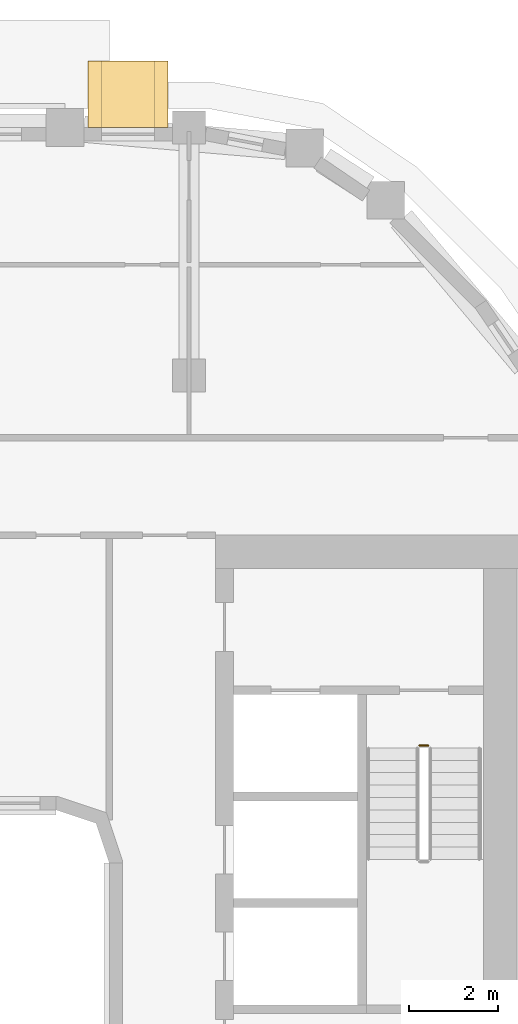
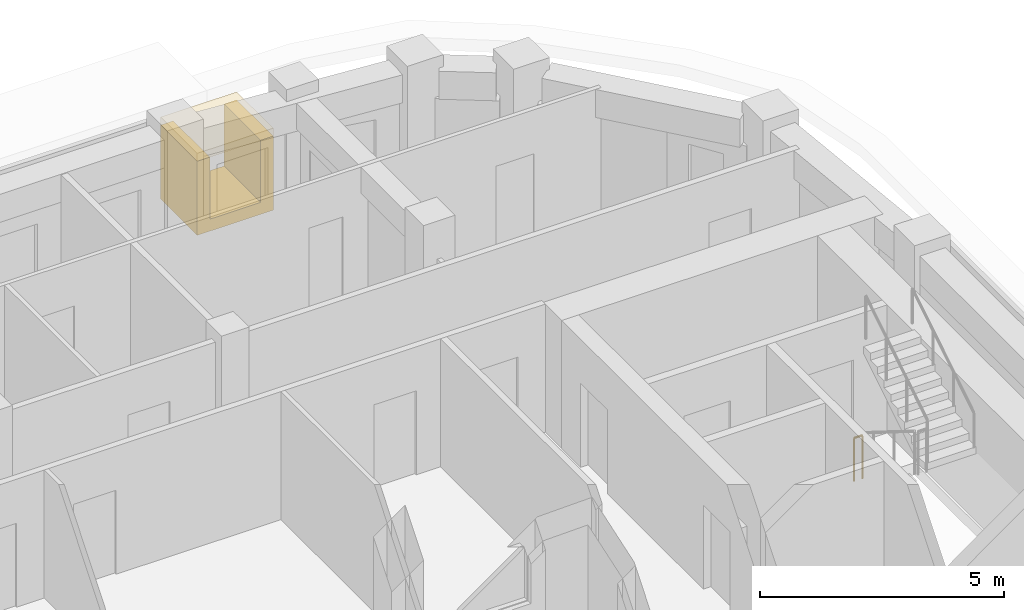
# One storey, part 21 of 21: 2 coverings, 1 railing.
"""IFC4 building model written with IfcOpenShell, lengths in metres."""

import ifcopenshell
import ifcopenshell.guid

model = None  # the IFC model being written
_history = None  # IfcOwnerHistory: only IFC2X3 demands one
_inside = {}  # id of a spatial element -> (the spatial element, [elements in it])
_under = {}  # id of a project, library or spatial element -> (it, [spatial elements below it])
_declared = {}  # id of a project -> (the project, [libraries it declares])
_typed = {}  # id of a type object -> (the type object, [elements of that type])
_made_of = {}  # id of a material, layer set ... -> (it, [elements and type objects made of it])


def new_model(schema):
    """Start an empty IFC model of exactly this schema.

    Asked for "IFC4X3", IfcOpenShell would pick the latest addendum, in which some entities
    have other attributes; the version numbers below select the first issue.
    IFC2X3 requires an IfcOwnerHistory on every rooted entity: one is made here for all.
    """
    global model, _history
    if schema == "IFC4X3":
        model = ifcopenshell.file(schema_version=(4, 3, 0, 0))
    else:
        model = ifcopenshell.file(schema=schema)
    _inside.clear()
    _under.clear()
    _declared.clear()
    _typed.clear()
    _made_of.clear()
    _history = None
    if model.schema == "IFC2X3":
        org = make("IfcOrganization", Name="unknown")
        user = make(
            "IfcPersonAndOrganization",
            ThePerson=make("IfcPerson", FamilyName="unknown"),
            TheOrganization=org,
        )
        app = make(
            "IfcApplication",
            ApplicationDeveloper=org,
            Version="unknown",
            ApplicationFullName="unknown",
            ApplicationIdentifier="unknown",
        )
        _history = make(
            "IfcOwnerHistory",
            OwningUser=user,
            OwningApplication=app,
            ChangeAction="ADDED",
            CreationDate=0,
        )
    return model


def make(cls, **values):
    """One entity of the class cls with the attributes given. An attribute that is None is left unset."""
    return model.create_entity(
        cls, **{name: value for name, value in values.items() if value is not None}
    )


def rooted(cls, **values):
    """An entity with a GlobalId (a new one), such as an element, a storey or a relation."""
    return make(cls, GlobalId=ifcopenshell.guid.new(), OwnerHistory=_history, **values)


def si_unit(unit_type, name, prefix=None):
    """IfcSIUnit, for example si_unit("LENGTHUNIT", "METRE", prefix="MILLI")."""
    return make("IfcSIUnit", UnitType=unit_type, Prefix=prefix, Name=name)


def assignment(units):
    """IfcUnitAssignment: the units of a project."""
    return None if units is None else make("IfcUnitAssignment", Units=units)


def point(xyz):
    """IfcCartesianPoint."""
    return None if xyz is None else make("IfcCartesianPoint", Coordinates=xyz)


def direction(xyz):
    """IfcDirection."""
    return None if xyz is None else make("IfcDirection", DirectionRatios=xyz)


def frame(location, z_axis=None, x_axis=None):
    """IfcAxis2Placement3D, a coordinate frame: its origin and axes. An axis left out is left unset."""
    return make(
        "IfcAxis2Placement3D",
        Location=point(location),
        Axis=direction(z_axis),
        RefDirection=direction(x_axis),
    )


def frame_2d(location, x_axis=None):
    """IfcAxis2Placement2D, a coordinate frame in the plane: its origin and x axis."""
    return make(
        "IfcAxis2Placement2D", Location=point(location), RefDirection=direction(x_axis)
    )


def origin():
    """The frame at (0, 0, 0) with its axes left unset."""
    return frame((0.0, 0.0, 0.0))


def origin_2d():
    """The frame at (0, 0) in the plane with its x axis left unset."""
    return frame_2d((0.0, 0.0))


def place(relative_to, where):
    """IfcLocalPlacement: puts the frame where relative to a parent placement (None: the world)."""
    return make(
        "IfcLocalPlacement", PlacementRelTo=relative_to, RelativePlacement=where
    )


def context(
    kind, dimensions, precision=None, world=None, true_north=None, identifier=None
):
    """IfcGeometricRepresentationContext, for example the 3D "Model" context."""
    return make(
        "IfcGeometricRepresentationContext",
        ContextIdentifier=identifier,
        ContextType=kind,
        CoordinateSpaceDimension=dimensions,
        Precision=precision,
        WorldCoordinateSystem=world,
        TrueNorth=true_north,
    )


def subcontext(parent, identifier, kind, view, scale=None):
    """IfcGeometricRepresentationSubContext, for example "Body" below "Model"."""
    return make(
        "IfcGeometricRepresentationSubContext",
        ContextIdentifier=identifier,
        ContextType=kind,
        ParentContext=parent,
        TargetScale=scale,
        TargetView=view,
    )


def project(units=None, contexts=None):
    """IfcProject with its units and contexts."""
    return rooted(
        "IfcProject",
        Name="project",
        RepresentationContexts=contexts,
        UnitsInContext=assignment(units),
    )


def spatial(cls, under=None, at=None, **own):
    """A site, building, storey or space (cls), placed at a placement, below another one or the project."""
    s = rooted(cls, ObjectPlacement=at, **own)
    if under is not None:
        _under.setdefault(under.id(), (under, []))[1].append(s)
    return s


def polyline(points):
    """IfcPolyline through the points."""
    return make("IfcPolyline", Points=[point(p) for p in points])


def profile(cls, at=None, kind="AREA", **sizes):
    """A parametric profile (cls). Its sizes go by their IFC names, for example OverallWidth=200.0."""
    return make(cls, ProfileType=kind, Position=at, **sizes)


def rectangle(**sizes):
    """IfcRectangleProfileDef."""
    return profile("IfcRectangleProfileDef", **sizes)


def circle(**sizes):
    """IfcCircleProfileDef."""
    return profile("IfcCircleProfileDef", **sizes)


def outline(outer, holes=None, kind="AREA"):
    """IfcArbitraryClosedProfileDef: a profile drawn as a closed curve; with holes, ...WithVoids."""
    if holes is None:
        return make("IfcArbitraryClosedProfileDef", ProfileType=kind, OuterCurve=outer)
    return make(
        "IfcArbitraryProfileDefWithVoids",
        ProfileType=kind,
        OuterCurve=outer,
        InnerCurves=holes,
    )


def extrude(swept, where, along, depth):
    """IfcExtrudedAreaSolid: the profile swept, set in the frame where, extruded along a direction by depth."""
    return make(
        "IfcExtrudedAreaSolid",
        SweptArea=swept,
        Position=where,
        ExtrudedDirection=direction(along),
        Depth=depth,
    )


def shape(context_of_items, identifier, shape_type, items):
    """IfcShapeRepresentation: the items that make up one representation, for example the "Body"."""
    return make(
        "IfcShapeRepresentation",
        ContextOfItems=context_of_items,
        RepresentationIdentifier=identifier,
        RepresentationType=shape_type,
        Items=items,
    )


def material(Name=None, Category=None):
    """IfcMaterial."""
    return make("IfcMaterial", Name=Name, Category=Category)


def layer(
    of_material, thickness, ventilated=None, Name=None, Category=None, Priority=None
):
    """IfcMaterialLayer: one layer of a wall or slab, of a material (None: an air gap)."""
    return make(
        "IfcMaterialLayer",
        Material=of_material,
        LayerThickness=thickness,
        IsVentilated=ventilated,
        Name=Name,
        Category=Category,
        Priority=Priority,
    )


def layer_set(layers, Name=None):
    """IfcMaterialLayerSet."""
    return make("IfcMaterialLayerSet", MaterialLayers=layers, LayerSetName=Name)


def made_of(thing, what):
    """Note that an element or type object is made of a material, layer set ...; save() writes the relation."""
    if what is not None:
        _made_of.setdefault(what.id(), (what, []))[1].append(thing)
    return thing


def type_object(cls, material=None, **own):
    """A type object (cls), such as IfcWallType, which elements share."""
    return made_of(rooted(cls, **own), material)


def element(
    cls,
    number,
    at=None,
    inside=None,
    cuts=None,
    type_object=None,
    material=None,
    context=None,
    identifier="Body",
    shape_type=None,
    held_by="IfcProductDefinitionShape",
    body=None,
    shapes=None,
    **own,
):
    """One element of the class cls, such as IfcWall. Its Tag is "e" and its number.

    at: its placement. inside: the storey or other place that contains it. cuts: it is an
    opening in that element (IfcRelVoidsElement). A single representation is given by context,
    identifier, shape_type and body (its items); several are given by shapes. held_by: the class
    of the entity that holds the representations. save() writes the other relations.
    """
    e = rooted(cls, Tag="e%d" % number, ObjectPlacement=at, **own)
    if body is not None:
        shapes = [shape(context, identifier, shape_type, body)]
    if shapes is not None:
        e.Representation = make(held_by, Representations=shapes)
    if inside is not None:
        _inside.setdefault(inside.id(), (inside, []))[1].append(e)
    if cuts is not None:
        rooted(
            "IfcRelVoidsElement", RelatingBuildingElement=cuts, RelatedOpeningElement=e
        )
    if type_object is not None:
        _typed.setdefault(type_object.id(), (type_object, []))[1].append(e)
    return made_of(e, material)


def aggregate(whole, parts):
    """IfcRelAggregates: a whole, such as a stair, and the parts it consists of."""
    return rooted("IfcRelAggregates", RelatingObject=whole, RelatedObjects=parts)


def save(model, path):
    """Write the relations noted so far, then the file.

    IfcRelAggregates (storeys below a building ...), IfcRelContainedInSpatialStructure (elements
    in a storey), IfcRelDefinesByType, IfcRelAssociatesMaterial and IfcRelDeclares: one each for
    every whole, place, type object, material and project.
    """
    for whole, parts in _under.values():
        aggregate(whole, parts)
    for where, things in _inside.values():
        rooted(
            "IfcRelContainedInSpatialStructure",
            RelatedElements=things,
            RelatingStructure=where,
        )
    for kind, things in _typed.values():
        rooted("IfcRelDefinesByType", RelatedObjects=things, RelatingType=kind)
    for what, things in _made_of.values():
        rooted("IfcRelAssociatesMaterial", RelatedObjects=things, RelatingMaterial=what)
    for by, libraries in _declared.values():
        rooted("IfcRelDeclares", RelatingContext=by, RelatedDefinitions=libraries)
    model.write(path)


model = new_model("IFC4")

# Units and contexts
model_context = context("Model", 3, precision=1e-05, world=origin(), true_north=direction((0.0, 1.0)))
body_context = subcontext(model_context, "Body", "Model", "MODEL_VIEW")
ifc_project = project(units=[si_unit("LENGTHUNIT", "METRE"), si_unit("AREAUNIT", "SQUARE_METRE"), si_unit("VOLUMEUNIT", "CUBIC_METRE"), si_unit("PLANEANGLEUNIT", "RADIAN"), si_unit("MASSUNIT", "GRAM", prefix="KILO")], contexts=[model_context])

# Site, building, storey
site_placement = place(None, origin())
site = spatial("IfcSite", under=ifc_project, at=site_placement, CompositionType="ELEMENT")
building_placement = place(site_placement, origin())
building = spatial("IfcBuilding", under=site, at=building_placement, Name="Kiln Ring Residences", CompositionType="ELEMENT")
storey_placement = place(building_placement, frame((0.0, 0.0, 223.89990234375)))
storey = spatial("IfcBuildingStorey", under=building, at=storey_placement, Name="L58", CompositionType="ELEMENT", Elevation=223.89990234375)

# Railing
ifc_material_1 = material(Name="Stainless steel", Category="steel")
railing_type = type_object("IfcRailingType", Name="CORE-STAIR-GUARD", PredefinedType="GUARDRAIL", material=ifc_material_1)
railing_placement = place(storey_placement, frame((22.0, 8.449951171875, 0.0)))
element("IfcRailing", 1, at=railing_placement, inside=storey, type_object=railing_type, Name="L58 E-STN stair guard 4", PredefinedType="GUARDRAIL", context=body_context, shape_type="SweptSolid", body=[
    extrude(circle(Radius=0.02392578125, at=origin_2d()), frame((0.0, 0.0, 1.076171875), z_axis=(1.0, 0.0, 0.0), x_axis=(0.0, 1.0, 0.0)), (0.0, 0.0, 1.0), 0.199951171875),
    extrude(circle(Radius=0.02099609375, at=origin_2d()), origin(), (0.0, 0.0, 1.0), 1.052001953125),
    extrude(circle(Radius=0.02099609375, at=origin_2d()), frame((0.199951171875, 0.0, 0.0)), (0.0, 0.0, 1.0), 1.052001953125),
])

# Coverings
ifc_material_2 = material(Name="Brick masonry, dark clay brick", Category="masonry")
ifc_layer_1 = layer(ifc_material_2, 0.300048828125)
ifc_layer_set_1 = layer_set([ifc_layer_1], Name="FRAME CHEEKS AND SILL 1500")
covering_type_1 = type_object("IfcCoveringType", Name="FRAME CHEEKS AND SILL 1500", PredefinedType="CLADDING", material=ifc_layer_set_1)
covering_1_placement = place(storey_placement, frame((16.324951171875, 23.14990234375, 0.300048828125), z_axis=(0.0, 0.0, 1.0), x_axis=(-1.0, 0.0, 0.0)))
element("IfcCovering", 2, at=covering_1_placement, inside=storey, type_object=covering_type_1, Name="FRAME L58", PredefinedType="CLADDING", context=body_context, shape_type="SweptSolid", body=[
    extrude(outline(polyline([(0.0, 0.0), (1.800048828125, 0.0), (1.800048828125, 1.85009765625), (1.5009765625, 1.85009765625), (1.5, 0.300048828125), (0.300048828125, 0.300048828125), (0.299072265625, 1.85009765625), (0.0, 1.85009765625), (0.0, 0.0)])), frame((0.0, 0.75, 0.0), z_axis=(0.0, -1.0, 0.0), x_axis=(1.0, 0.0, 0.0)), (0.0, 0.0, 1.0), 1.5),
])
ifc_material_3 = material(Name="Brick masonry, dark clay brick", Category="masonry")
ifc_layer_2 = layer(ifc_material_3, 0.199951171875)
ifc_layer_set_2 = layer_set([ifc_layer_2], Name="FRAME HEAD 1500")
covering_type_2 = type_object("IfcCoveringType", Name="FRAME HEAD 1500", PredefinedType="CLADDING", material=ifc_layer_set_2)
covering_2_placement = place(storey_placement, frame((15.425048828125, 23.14990234375, 2.14990234375), z_axis=(0.0, 0.0, 1.0), x_axis=(-1.0, 0.0, 0.0)))
element("IfcCovering", 3, at=covering_2_placement, inside=storey, type_object=covering_type_2, Name="FRAME HEAD L58", PredefinedType="CLADDING", context=body_context, shape_type="SweptSolid", body=[
    extrude(rectangle(XDim=1.800048828125, YDim=1.5, at=origin_2d()), origin(), (0.0, 0.0, 1.0), 0.199951171875),
])

save(model, "model.ifc")
